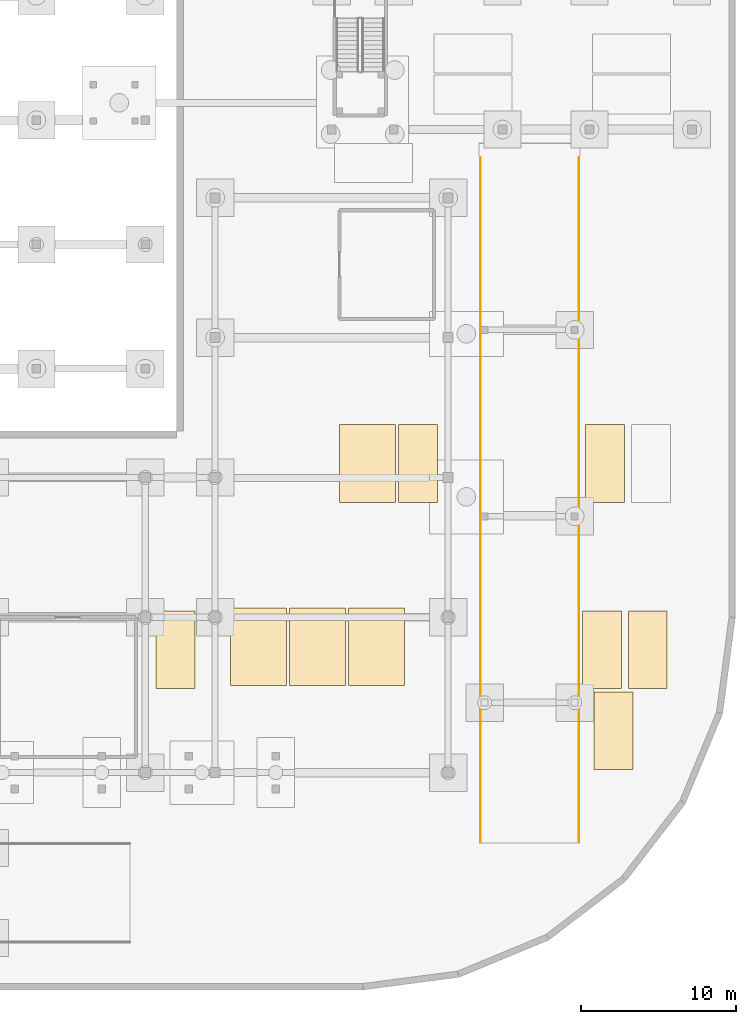
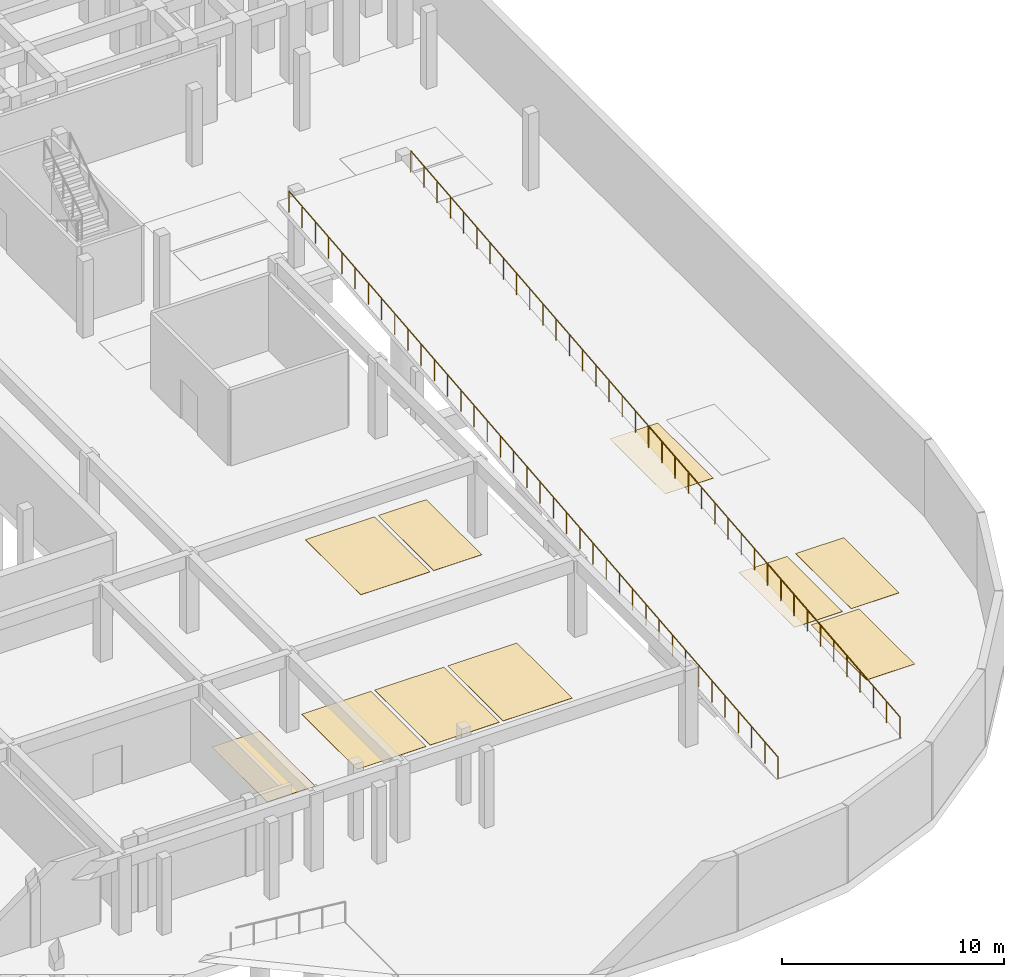
# One storey, part 49 of 53: 10 coverings, 2 railings.
"""IFC4 building model written with IfcOpenShell, lengths in metres."""

from ifc_helpers import new_model, si_unit, direction, frame, origin, origin_2d, place, context, subcontext, project, spatial, polyline, circle, outline, extrude, material, layer, layer_set, type_object, element, save


model = new_model("IFC4")

# Units and contexts
model_context = context("Model", 3, precision=1e-05, world=origin(), true_north=direction((0.0, 1.0)))
body_context = subcontext(model_context, "Body", "Model", "MODEL_VIEW")
ifc_project = project(units=[si_unit("LENGTHUNIT", "METRE"), si_unit("AREAUNIT", "SQUARE_METRE"), si_unit("VOLUMEUNIT", "CUBIC_METRE"), si_unit("PLANEANGLEUNIT", "RADIAN"), si_unit("MASSUNIT", "GRAM", prefix="KILO")], contexts=[model_context])

# Site, building, storey
site_placement = place(None, origin())
site = spatial("IfcSite", under=ifc_project, at=site_placement, CompositionType="ELEMENT")
building_placement = place(site_placement, origin())
building = spatial("IfcBuilding", under=site, at=building_placement, Name="Kiranvali Square Residences", CompositionType="ELEMENT")
storey_placement = place(building_placement, frame((0.0, 0.0, -4.5)))
storey = spatial("IfcBuildingStorey", under=building, at=storey_placement, Name="B1", CompositionType="ELEMENT", Elevation=-4.5)

# Coverings
ifc_material_1 = material(Name="Polished terrazzo and anti-slip vitrified floor finish", Category="stone")
ifc_layer_1 = layer(ifc_material_1, 0.014892578125)
ifc_layer_set_1 = layer_set([ifc_layer_1], Name="Polished terrazzo and anti-slip vitrified floor finish")
covering_type_1 = type_object("IfcCoveringType", Name="COV-BAY-ACC", PredefinedType="FLOORING", material=ifc_layer_set_1)
covering_1_placement = place(storey_placement, origin())
element("IfcCovering", 1, at=covering_1_placement, inside=storey, type_object=covering_type_1, Name="Accessible Parking Bay ACC-03", PredefinedType="FLOORING", context=body_context, shape_type="SweptSolid", body=[
    extrude(outline(polyline([(135.5, 19.60009765625), (139.10009765625, 19.60009765625), (139.10009765625, 24.60009765625), (135.5, 24.60009765625), (135.5, 19.60009765625)])), origin(), (0.0, 0.0, 1.0), 0.014892578125),
])
covering_2_placement = place(storey_placement, origin())
element("IfcCovering", 2, at=covering_2_placement, inside=storey, type_object=covering_type_1, Name="Accessible Parking Bay ACC-04", PredefinedType="FLOORING", context=body_context, shape_type="SweptSolid", body=[
    extrude(outline(polyline([(139.300048828125, 19.60009765625), (142.89990234375, 19.60009765625), (142.89990234375, 24.60009765625), (139.300048828125, 24.60009765625), (139.300048828125, 19.60009765625)])), origin(), (0.0, 0.0, 1.0), 0.014892578125),
])
covering_3_placement = place(storey_placement, origin())
element("IfcCovering", 3, at=covering_3_placement, inside=storey, type_object=covering_type_1, Name="Accessible Parking Bay ACC-05", PredefinedType="FLOORING", context=body_context, shape_type="SweptSolid", body=[
    extrude(outline(polyline([(143.10009765625, 19.60009765625), (146.699951171875, 19.60009765625), (146.699951171875, 24.60009765625), (143.10009765625, 24.60009765625), (143.10009765625, 19.60009765625)])), origin(), (0.0, 0.0, 1.0), 0.014892578125),
])
covering_4_placement = place(storey_placement, origin())
element("IfcCovering", 4, at=covering_4_placement, inside=storey, type_object=covering_type_1, Name="Accessible Parking Bay ACC-07", PredefinedType="FLOORING", context=body_context, shape_type="SweptSolid", body=[
    extrude(outline(polyline([(142.5, 31.39990234375), (146.10009765625, 31.39990234375), (146.10009765625, 36.39990234375), (142.5, 36.39990234375), (142.5, 31.39990234375)])), origin(), (0.0, 0.0, 1.0), 0.014892578125),
])
ifc_layer_2 = layer(ifc_material_1, 0.014892578125)
ifc_layer_set_2 = layer_set([ifc_layer_2], Name="Polished terrazzo and anti-slip vitrified floor finish")
covering_type_2 = type_object("IfcCoveringType", Name="COV-BAY-STD", PredefinedType="FLOORING", material=ifc_layer_set_2)
covering_5_placement = place(storey_placement, origin())
element("IfcCovering", 5, at=covering_5_placement, inside=storey, type_object=covering_type_2, Name="Standard Car Parking Bay P-002", PredefinedType="FLOORING", context=body_context, shape_type="SweptSolid", body=[
    extrude(outline(polyline([(130.699951171875, 19.39990234375), (133.199951171875, 19.39990234375), (133.199951171875, 24.39990234375), (130.699951171875, 24.39990234375), (130.699951171875, 19.39990234375)])), origin(), (0.0, 0.0, 1.0), 0.014892578125),
])
covering_6_placement = place(storey_placement, origin())
element("IfcCovering", 6, at=covering_6_placement, inside=storey, type_object=covering_type_2, Name="Standard Car Parking Bay P-003", PredefinedType="FLOORING", context=body_context, shape_type="SweptSolid", body=[
    extrude(outline(polyline([(158.14990234375, 19.39990234375), (160.64990234375, 19.39990234375), (160.64990234375, 24.39990234375), (158.14990234375, 24.39990234375), (158.14990234375, 19.39990234375)])), origin(), (0.0, 0.0, 1.0), 0.014892578125),
])
covering_7_placement = place(storey_placement, origin())
element("IfcCovering", 7, at=covering_7_placement, inside=storey, type_object=covering_type_2, Name="Standard Car Parking Bay P-004", PredefinedType="FLOORING", context=body_context, shape_type="SweptSolid", body=[
    extrude(outline(polyline([(161.10009765625, 19.39990234375), (163.60009765625, 19.39990234375), (163.60009765625, 24.39990234375), (161.10009765625, 24.39990234375), (161.10009765625, 19.39990234375)])), origin(), (0.0, 0.0, 1.0), 0.014892578125),
])
covering_8_placement = place(storey_placement, origin())
element("IfcCovering", 8, at=covering_8_placement, inside=storey, type_object=covering_type_2, Name="Standard Car Parking Bay P-005", PredefinedType="FLOORING", context=body_context, shape_type="SweptSolid", body=[
    extrude(outline(polyline([(146.300048828125, 31.39990234375), (148.800048828125, 31.39990234375), (148.800048828125, 36.39990234375), (146.300048828125, 36.39990234375), (146.300048828125, 31.39990234375)])), origin(), (0.0, 0.0, 1.0), 0.014892578125),
])
covering_9_placement = place(storey_placement, origin())
element("IfcCovering", 9, at=covering_9_placement, inside=storey, type_object=covering_type_2, Name="Standard Car Parking Bay P-006", PredefinedType="FLOORING", context=body_context, shape_type="SweptSolid", body=[
    extrude(outline(polyline([(158.35009765625, 31.39990234375), (160.85009765625, 31.39990234375), (160.85009765625, 36.39990234375), (158.35009765625, 36.39990234375), (158.35009765625, 31.39990234375)])), origin(), (0.0, 0.0, 1.0), 0.014892578125),
])
covering_10_placement = place(storey_placement, origin())
element("IfcCovering", 10, at=covering_10_placement, inside=storey, type_object=covering_type_2, Name="Standard Car Parking Bay P-034", PredefinedType="FLOORING", context=body_context, shape_type="SweptSolid", body=[
    extrude(outline(polyline([(158.89990234375, 14.199951171875), (161.39990234375, 14.199951171875), (161.39990234375, 19.199951171875), (158.89990234375, 19.199951171875), (158.89990234375, 14.199951171875)])), origin(), (0.0, 0.0, 1.0), 0.014892578125),
])

# Railings
ifc_material_2 = material(Name="Powder-coated architectural bronze balustrade", Category="steel")
railing_type = type_object("IfcRailingType", Name="RL-ST-GUARD-1200", PredefinedType="GUARDRAIL", material=ifc_material_2)
railing_1_placement = place(storey_placement, frame((151.580078125, 9.5, 0.0)))
element("IfcRailing", 11, at=railing_1_placement, inside=storey, type_object=railing_type, Name="Vehicular ramp VR-2 safety guard W", PredefinedType="GUARDRAIL", context=body_context, shape_type="SweptSolid", body=[
    extrude(circle(Radius=0.02392578125, at=origin_2d()), frame((0.0, 0.0, 1.17578125), z_axis=(0.0, 0.995037408369, 0.099501537404), x_axis=(-1.0, 0.0, 0.0)), (0.0, 0.0, 1.0), 44.320068359375),
    extrude(circle(Radius=0.02099609375, at=origin_2d()), origin(), (0.0, 0.0, 1.0), 1.15185546875),
    extrude(circle(Radius=0.02099609375, at=origin_2d()), frame((0.0, 1.19189453125, 0.119140625)), (0.0, 0.0, 1.0), 1.15185546875),
    extrude(circle(Radius=0.02099609375, at=origin_2d()), frame((0.0, 2.3837890625, 0.23828125)), (0.0, 0.0, 1.0), 1.15185546875),
    extrude(circle(Radius=0.02099609375, at=origin_2d()), frame((0.0, 3.57568359375, 0.357666015625)), (0.0, 0.0, 1.0), 1.15185546875),
    extrude(circle(Radius=0.02099609375, at=origin_2d()), frame((0.0, 4.767578125, 0.476806640625)), (0.0, 0.0, 1.0), 1.15185546875),
    extrude(circle(Radius=0.02099609375, at=origin_2d()), frame((0.0, 5.95947265625, 0.595947265625)), (0.0, 0.0, 1.0), 1.15185546875),
    extrude(circle(Radius=0.02099609375, at=origin_2d()), frame((0.0, 7.1513671875, 0.715087890625)), (0.0, 0.0, 1.0), 1.15185546875),
    extrude(circle(Radius=0.02099609375, at=origin_2d()), frame((0.0, 8.34326171875, 0.834228515625)), (0.0, 0.0, 1.0), 1.15185546875),
    extrude(circle(Radius=0.02099609375, at=origin_2d()), frame((0.0, 9.53515625, 0.95361328125)), (0.0, 0.0, 1.0), 1.15185546875),
    extrude(circle(Radius=0.02099609375, at=origin_2d()), frame((0.0, 10.72705078125, 1.07275390625)), (0.0, 0.0, 1.0), 1.15185546875),
    extrude(circle(Radius=0.02099609375, at=origin_2d()), frame((0.0, 11.9189453125, 1.19189453125)), (0.0, 0.0, 1.0), 1.15185546875),
    extrude(circle(Radius=0.02099609375, at=origin_2d()), frame((0.0, 13.11083984375, 1.31103515625)), (0.0, 0.0, 1.0), 1.15185546875),
    extrude(circle(Radius=0.02099609375, at=origin_2d()), frame((0.0, 14.302734375, 1.43017578125)), (0.0, 0.0, 1.0), 1.15185546875),
    extrude(circle(Radius=0.02099609375, at=origin_2d()), frame((0.0, 15.49462890625, 1.54931640625)), (0.0, 0.0, 1.0), 1.15185546875),
    extrude(circle(Radius=0.02099609375, at=origin_2d()), frame((0.0, 16.6865234375, 1.668701171875)), (0.0, 0.0, 1.0), 1.15185546875),
    extrude(circle(Radius=0.02099609375, at=origin_2d()), frame((0.0, 17.87841796875, 1.787841796875)), (0.0, 0.0, 1.0), 1.15185546875),
    extrude(circle(Radius=0.02099609375, at=origin_2d()), frame((0.0, 19.0703125, 1.906982421875)), (0.0, 0.0, 1.0), 1.15185546875),
    extrude(circle(Radius=0.02099609375, at=origin_2d()), frame((0.0, 20.26220703125, 2.026123046875)), (0.0, 0.0, 1.0), 1.15185546875),
    extrude(circle(Radius=0.02099609375, at=origin_2d()), frame((0.0, 21.4541015625, 2.145263671875)), (0.0, 0.0, 1.0), 1.15185546875),
    extrude(circle(Radius=0.02099609375, at=origin_2d()), frame((0.0, 22.64599609375, 2.2646484375)), (0.0, 0.0, 1.0), 1.15185546875),
    extrude(circle(Radius=0.02099609375, at=origin_2d()), frame((0.0, 23.837890625, 2.3837890625)), (0.0, 0.0, 1.0), 1.15185546875),
    extrude(circle(Radius=0.02099609375, at=origin_2d()), frame((0.0, 25.02978515625, 2.5029296875)), (0.0, 0.0, 1.0), 1.15185546875),
    extrude(circle(Radius=0.02099609375, at=origin_2d()), frame((0.0, 26.2216796875, 2.6220703125)), (0.0, 0.0, 1.0), 1.15185546875),
    extrude(circle(Radius=0.02099609375, at=origin_2d()), frame((0.0, 27.41357421875, 2.7412109375)), (0.0, 0.0, 1.0), 1.15185546875),
    extrude(circle(Radius=0.02099609375, at=origin_2d()), frame((0.0, 28.60546875, 2.860595703125)), (0.0, 0.0, 1.0), 1.15185546875),
    extrude(circle(Radius=0.02099609375, at=origin_2d()), frame((0.0, 29.79736328125, 2.979736328125)), (0.0, 0.0, 1.0), 1.15185546875),
    extrude(circle(Radius=0.02099609375, at=origin_2d()), frame((0.0, 30.9892578125, 3.098876953125)), (0.0, 0.0, 1.0), 1.15185546875),
    extrude(circle(Radius=0.02099609375, at=origin_2d()), frame((0.0, 32.18115234375, 3.218017578125)), (0.0, 0.0, 1.0), 1.15185546875),
    extrude(circle(Radius=0.02099609375, at=origin_2d()), frame((0.0, 33.373046875, 3.337158203125)), (0.0, 0.0, 1.0), 1.15185546875),
    extrude(circle(Radius=0.02099609375, at=origin_2d()), frame((0.0, 34.56494140625, 3.456298828125)), (0.0, 0.0, 1.0), 1.15185546875),
    extrude(circle(Radius=0.02099609375, at=origin_2d()), frame((0.0, 35.7568359375, 3.57568359375)), (0.0, 0.0, 1.0), 1.15185546875),
    extrude(circle(Radius=0.02099609375, at=origin_2d()), frame((0.0, 36.94873046875, 3.69482421875)), (0.0, 0.0, 1.0), 1.15185546875),
    extrude(circle(Radius=0.02099609375, at=origin_2d()), frame((0.0, 38.140625, 3.81396484375)), (0.0, 0.0, 1.0), 1.15185546875),
    extrude(circle(Radius=0.02099609375, at=origin_2d()), frame((0.0, 39.33251953125, 3.93310546875)), (0.0, 0.0, 1.0), 1.15185546875),
    extrude(circle(Radius=0.02099609375, at=origin_2d()), frame((0.0, 40.5244140625, 4.05224609375)), (0.0, 0.0, 1.0), 1.15185546875),
    extrude(circle(Radius=0.02099609375, at=origin_2d()), frame((0.0, 41.71630859375, 4.171630859375)), (0.0, 0.0, 1.0), 1.15185546875),
    extrude(circle(Radius=0.02099609375, at=origin_2d()), frame((0.0, 42.908203125, 4.290771484375)), (0.0, 0.0, 1.0), 1.15185546875),
    extrude(circle(Radius=0.02099609375, at=origin_2d()), frame((0.0, 44.10009765625, 4.409912109375)), (0.0, 0.0, 1.0), 1.15185546875),
])
railing_2_placement = place(storey_placement, frame((157.919921875, 9.5, 0.0)))
element("IfcRailing", 12, at=railing_2_placement, inside=storey, type_object=railing_type, Name="Vehicular ramp VR-2 safety guard E", PredefinedType="GUARDRAIL", context=body_context, shape_type="SweptSolid", body=[
    extrude(circle(Radius=0.02392578125, at=origin_2d()), frame((0.0, 0.0, 1.17578125), z_axis=(0.0, 0.995037408369, 0.099501537404), x_axis=(-1.0, 0.0, 0.0)), (0.0, 0.0, 1.0), 44.320068359375),
    extrude(circle(Radius=0.02099609375, at=origin_2d()), origin(), (0.0, 0.0, 1.0), 1.15185546875),
    extrude(circle(Radius=0.02099609375, at=origin_2d()), frame((0.0, 1.19189453125, 0.119140625)), (0.0, 0.0, 1.0), 1.15185546875),
    extrude(circle(Radius=0.02099609375, at=origin_2d()), frame((0.0, 2.3837890625, 0.23828125)), (0.0, 0.0, 1.0), 1.15185546875),
    extrude(circle(Radius=0.02099609375, at=origin_2d()), frame((0.0, 3.57568359375, 0.357666015625)), (0.0, 0.0, 1.0), 1.15185546875),
    extrude(circle(Radius=0.02099609375, at=origin_2d()), frame((0.0, 4.767578125, 0.476806640625)), (0.0, 0.0, 1.0), 1.15185546875),
    extrude(circle(Radius=0.02099609375, at=origin_2d()), frame((0.0, 5.95947265625, 0.595947265625)), (0.0, 0.0, 1.0), 1.15185546875),
    extrude(circle(Radius=0.02099609375, at=origin_2d()), frame((0.0, 7.1513671875, 0.715087890625)), (0.0, 0.0, 1.0), 1.15185546875),
    extrude(circle(Radius=0.02099609375, at=origin_2d()), frame((0.0, 8.34326171875, 0.834228515625)), (0.0, 0.0, 1.0), 1.15185546875),
    extrude(circle(Radius=0.02099609375, at=origin_2d()), frame((0.0, 9.53515625, 0.95361328125)), (0.0, 0.0, 1.0), 1.15185546875),
    extrude(circle(Radius=0.02099609375, at=origin_2d()), frame((0.0, 10.72705078125, 1.07275390625)), (0.0, 0.0, 1.0), 1.15185546875),
    extrude(circle(Radius=0.02099609375, at=origin_2d()), frame((0.0, 11.9189453125, 1.19189453125)), (0.0, 0.0, 1.0), 1.15185546875),
    extrude(circle(Radius=0.02099609375, at=origin_2d()), frame((0.0, 13.11083984375, 1.31103515625)), (0.0, 0.0, 1.0), 1.15185546875),
    extrude(circle(Radius=0.02099609375, at=origin_2d()), frame((0.0, 14.302734375, 1.43017578125)), (0.0, 0.0, 1.0), 1.15185546875),
    extrude(circle(Radius=0.02099609375, at=origin_2d()), frame((0.0, 15.49462890625, 1.54931640625)), (0.0, 0.0, 1.0), 1.15185546875),
    extrude(circle(Radius=0.02099609375, at=origin_2d()), frame((0.0, 16.6865234375, 1.668701171875)), (0.0, 0.0, 1.0), 1.15185546875),
    extrude(circle(Radius=0.02099609375, at=origin_2d()), frame((0.0, 17.87841796875, 1.787841796875)), (0.0, 0.0, 1.0), 1.15185546875),
    extrude(circle(Radius=0.02099609375, at=origin_2d()), frame((0.0, 19.0703125, 1.906982421875)), (0.0, 0.0, 1.0), 1.15185546875),
    extrude(circle(Radius=0.02099609375, at=origin_2d()), frame((0.0, 20.26220703125, 2.026123046875)), (0.0, 0.0, 1.0), 1.15185546875),
    extrude(circle(Radius=0.02099609375, at=origin_2d()), frame((0.0, 21.4541015625, 2.145263671875)), (0.0, 0.0, 1.0), 1.15185546875),
    extrude(circle(Radius=0.02099609375, at=origin_2d()), frame((0.0, 22.64599609375, 2.2646484375)), (0.0, 0.0, 1.0), 1.15185546875),
    extrude(circle(Radius=0.02099609375, at=origin_2d()), frame((0.0, 23.837890625, 2.3837890625)), (0.0, 0.0, 1.0), 1.15185546875),
    extrude(circle(Radius=0.02099609375, at=origin_2d()), frame((0.0, 25.02978515625, 2.5029296875)), (0.0, 0.0, 1.0), 1.15185546875),
    extrude(circle(Radius=0.02099609375, at=origin_2d()), frame((0.0, 26.2216796875, 2.6220703125)), (0.0, 0.0, 1.0), 1.15185546875),
    extrude(circle(Radius=0.02099609375, at=origin_2d()), frame((0.0, 27.41357421875, 2.7412109375)), (0.0, 0.0, 1.0), 1.15185546875),
    extrude(circle(Radius=0.02099609375, at=origin_2d()), frame((0.0, 28.60546875, 2.860595703125)), (0.0, 0.0, 1.0), 1.15185546875),
    extrude(circle(Radius=0.02099609375, at=origin_2d()), frame((0.0, 29.79736328125, 2.979736328125)), (0.0, 0.0, 1.0), 1.15185546875),
    extrude(circle(Radius=0.02099609375, at=origin_2d()), frame((0.0, 30.9892578125, 3.098876953125)), (0.0, 0.0, 1.0), 1.15185546875),
    extrude(circle(Radius=0.02099609375, at=origin_2d()), frame((0.0, 32.18115234375, 3.218017578125)), (0.0, 0.0, 1.0), 1.15185546875),
    extrude(circle(Radius=0.02099609375, at=origin_2d()), frame((0.0, 33.373046875, 3.337158203125)), (0.0, 0.0, 1.0), 1.15185546875),
    extrude(circle(Radius=0.02099609375, at=origin_2d()), frame((0.0, 34.56494140625, 3.456298828125)), (0.0, 0.0, 1.0), 1.15185546875),
    extrude(circle(Radius=0.02099609375, at=origin_2d()), frame((0.0, 35.7568359375, 3.57568359375)), (0.0, 0.0, 1.0), 1.15185546875),
    extrude(circle(Radius=0.02099609375, at=origin_2d()), frame((0.0, 36.94873046875, 3.69482421875)), (0.0, 0.0, 1.0), 1.15185546875),
    extrude(circle(Radius=0.02099609375, at=origin_2d()), frame((0.0, 38.140625, 3.81396484375)), (0.0, 0.0, 1.0), 1.15185546875),
    extrude(circle(Radius=0.02099609375, at=origin_2d()), frame((0.0, 39.33251953125, 3.93310546875)), (0.0, 0.0, 1.0), 1.15185546875),
    extrude(circle(Radius=0.02099609375, at=origin_2d()), frame((0.0, 40.5244140625, 4.05224609375)), (0.0, 0.0, 1.0), 1.15185546875),
    extrude(circle(Radius=0.02099609375, at=origin_2d()), frame((0.0, 41.71630859375, 4.171630859375)), (0.0, 0.0, 1.0), 1.15185546875),
    extrude(circle(Radius=0.02099609375, at=origin_2d()), frame((0.0, 42.908203125, 4.290771484375)), (0.0, 0.0, 1.0), 1.15185546875),
    extrude(circle(Radius=0.02099609375, at=origin_2d()), frame((0.0, 44.10009765625, 4.409912109375)), (0.0, 0.0, 1.0), 1.15185546875),
])

save(model, "model.ifc")
